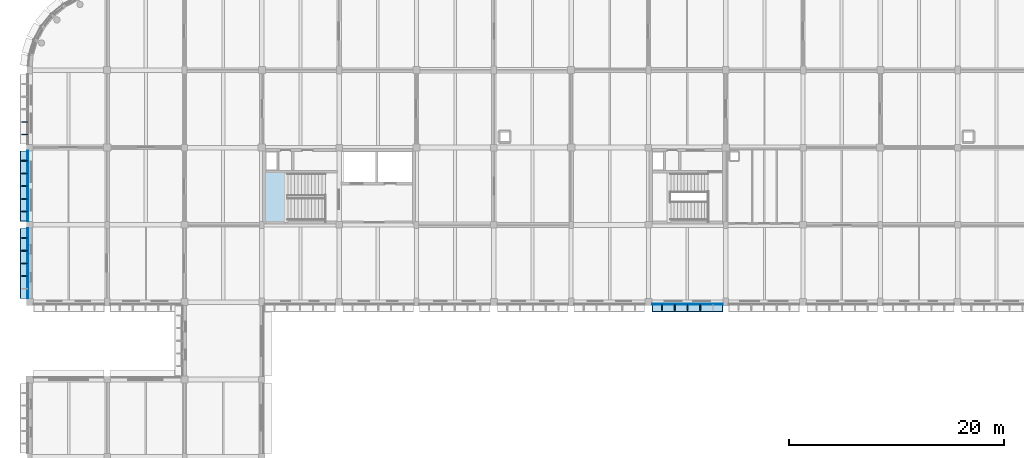
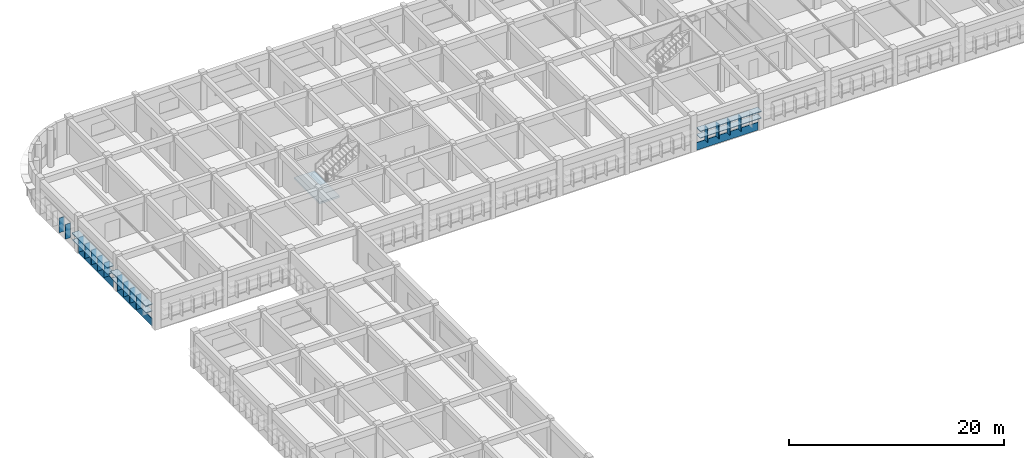
# One storey, part 14 of 38: 24 plates, 1 slab, 1 element without a shape of its own.
"""IFC4 building model written with IfcOpenShell, lengths in metres."""

from ifc_helpers import new_model, si_unit, direction, frame, origin, origin_2d, place, context, subcontext, project, spatial, polyline, rectangle, outline, extrude, material, layer, layer_set, type_object, element, aggregate, save


model = new_model("IFC4")

# Units and contexts
model_context = context("Model", 3, precision=1e-05, world=origin(), true_north=direction((0.0, 1.0)))
body_context = subcontext(model_context, "Body", "Model", "MODEL_VIEW")
ifc_project = project(units=[si_unit("LENGTHUNIT", "METRE"), si_unit("AREAUNIT", "SQUARE_METRE"), si_unit("VOLUMEUNIT", "CUBIC_METRE"), si_unit("PLANEANGLEUNIT", "RADIAN"), si_unit("MASSUNIT", "GRAM", prefix="KILO")], contexts=[model_context])

# Site, building, storey
site_placement = place(None, origin())
site = spatial("IfcSite", under=ifc_project, at=site_placement, CompositionType="ELEMENT")
building_placement = place(site_placement, origin())
building = spatial("IfcBuilding", under=site, at=building_placement, Name="Thalmaran Polytechnic", CompositionType="ELEMENT")
storey_placement = place(building_placement, frame((0.0, 0.0, 18.60009765625)))
storey = spatial("IfcBuildingStorey", under=building, at=storey_placement, Name="L04", CompositionType="ELEMENT", Elevation=18.60009765625)

# Plates
ifc_material_1 = material(Name="Anodised aluminium spandrel band", Category="aluminium")
ifc_layer_1 = layer(ifc_material_1, 0.054931640625, Name="Anodised aluminium spandrel band")
ifc_layer_set_1 = layer_set([ifc_layer_1], Name="Anodised aluminium spandrel band")
plate_type_1 = type_object("IfcPlateType", Name="PT-BD01", PredefinedType="SHEET", material=ifc_layer_set_1)
plate_1_placement = place(storey_placement, frame((-0.195068359375, 97.20751953125, 0.02001953125), z_axis=(0.0, 0.0, 1.0), x_axis=(0.0, 1.0, 0.0)))
element("IfcPlate", 1, at=plate_1_placement, inside=storey, type_object=plate_type_1, Name="Streamline Horizontal Spandrel Band L04-042", PredefinedType="SHEET", context=body_context, shape_type="SweptSolid", body=[
    extrude(rectangle(XDim=6.52490234375, YDim=0.054931640625, at=origin_2d()), origin(), (0.0, 0.0, 1.0), 0.8798828125),
])
plate_2_placement = place(storey_placement, frame((-0.195068359375, 104.405029296875, 0.02001953125), z_axis=(0.0, 0.0, 1.0), x_axis=(0.0, 1.0, 0.0)))
element("IfcPlate", 2, at=plate_2_placement, inside=storey, type_object=plate_type_1, Name="Streamline Horizontal Spandrel Band L04-043", PredefinedType="SHEET", context=body_context, shape_type="SweptSolid", body=[
    extrude(rectangle(XDim=6.550048828125, YDim=0.054931640625, at=origin_2d()), origin(), (0.0, 0.0, 1.0), 0.8798828125),
])
plate_3_placement = place(storey_placement, frame((61.237548828125, 93.405029296875, 0.02001953125), z_axis=(0.0, 0.0, 1.0), x_axis=(-1.0, 0.0, 0.0)))
element("IfcPlate", 3, at=plate_3_placement, inside=storey, type_object=plate_type_1, Name="Streamline Horizontal Spandrel Band L04-073", PredefinedType="SHEET", context=body_context, shape_type="SweptSolid", body=[
    extrude(rectangle(XDim=6.5849609375, YDim=0.054931640625, at=origin_2d()), origin(), (0.0, 0.0, 1.0), 0.8798828125),
])
ifc_material_2 = material(Name="Anodised aluminium sun-hood eyebrow", Category="aluminium")
ifc_layer_2 = layer(ifc_material_2, 0.0849609375, Name="Anodised aluminium sun-hood eyebrow")
ifc_layer_set_2 = layer_set([ifc_layer_2], Name="Anodised aluminium sun-hood eyebrow")
plate_type_2 = type_object("IfcPlateType", Name="PT-EB01", PredefinedType="SHEET", material=ifc_layer_set_2)
plate_4_placement = place(storey_placement, frame((-0.5400390625, 97.20751953125, 2.517333984375), z_axis=(0.0, 0.0, 1.0), x_axis=(0.0, 1.0, 0.0)))
element("IfcPlate", 4, at=plate_4_placement, inside=storey, type_object=plate_type_2, Name="Streamline Sun-Hood Eyebrow L04-042", PredefinedType="SHEET", context=body_context, shape_type="SweptSolid", body=[
    extrude(rectangle(XDim=6.52490234375, YDim=0.760009765625, at=origin_2d()), origin(), (0.0, 0.0, 1.0), 0.0849609375),
])
plate_5_placement = place(storey_placement, frame((-0.52001953125, 97.20751953125, 1.7421875), z_axis=(0.0, 0.0, 1.0), x_axis=(0.0, 1.0, 0.0)))
element("IfcPlate", 5, at=plate_5_placement, inside=storey, type_object=plate_type_2, Name="Abu Dhabi Horizontal Solar Louvre L04-042", PredefinedType="SHEET", context=body_context, shape_type="SweptSolid", body=[
    extrude(rectangle(XDim=6.485107421875, YDim=0.719970703125, at=origin_2d()), origin(), (0.0, 0.0, 1.0), 0.074951171875),
])
plate_6_placement = place(storey_placement, frame((-0.5400390625, 104.405029296875, 2.517333984375), z_axis=(0.0, 0.0, 1.0), x_axis=(0.0, 1.0, 0.0)))
element("IfcPlate", 6, at=plate_6_placement, inside=storey, type_object=plate_type_2, Name="Streamline Sun-Hood Eyebrow L04-043", PredefinedType="SHEET", context=body_context, shape_type="SweptSolid", body=[
    extrude(rectangle(XDim=6.550048828125, YDim=0.760009765625, at=origin_2d()), origin(), (0.0, 0.0, 1.0), 0.0849609375),
])
plate_7_placement = place(storey_placement, frame((-0.52001953125, 104.405029296875, 1.7421875), z_axis=(0.0, 0.0, 1.0), x_axis=(0.0, 1.0, 0.0)))
element("IfcPlate", 7, at=plate_7_placement, inside=storey, type_object=plate_type_2, Name="Abu Dhabi Horizontal Solar Louvre L04-043", PredefinedType="SHEET", context=body_context, shape_type="SweptSolid", body=[
    extrude(rectangle(XDim=6.510009765625, YDim=0.719970703125, at=origin_2d()), origin(), (0.0, 0.0, 1.0), 0.074951171875),
])
plate_8_placement = place(storey_placement, frame((61.237548828125, 93.06005859375, 2.517333984375), z_axis=(0.0, 0.0, 1.0), x_axis=(-1.0, 0.0, 0.0)))
element("IfcPlate", 8, at=plate_8_placement, inside=storey, type_object=plate_type_2, Name="Streamline Sun-Hood Eyebrow L04-073", PredefinedType="SHEET", context=body_context, shape_type="SweptSolid", body=[
    extrude(rectangle(XDim=6.5849609375, YDim=0.760009765625, at=origin_2d()), origin(), (0.0, 0.0, 1.0), 0.0849609375),
])
plate_9_placement = place(storey_placement, frame((61.237548828125, 93.080078125, 1.7421875), z_axis=(0.0, 0.0, 1.0), x_axis=(-1.0, 0.0, 0.0)))
element("IfcPlate", 9, at=plate_9_placement, inside=storey, type_object=plate_type_2, Name="Abu Dhabi Horizontal Solar Louvre L04-073", PredefinedType="SHEET", context=body_context, shape_type="SweptSolid", body=[
    extrude(rectangle(XDim=6.544921875, YDim=0.719970703125, at=origin_2d()), origin(), (0.0, 0.0, 1.0), 0.074951171875),
])
ifc_material_3 = material(Name="Anodised bronze brise-soleil fin")
ifc_layer_3 = layer(ifc_material_3, 0.06494140625, Name="Anodised bronze brise-soleil fin")
ifc_layer_set_3 = layer_set([ifc_layer_3], Name="Anodised bronze brise-soleil fin")
plate_type_3 = type_object("IfcPlateType", Name="PT-FN01", PredefinedType="SHEET", material=ifc_layer_set_3)
for number, where, z_axis, x_axis, name in (
    (10, (-0.4599609375, 96.02587890625, 0.89501953125), (0.0, 0.0, 1.0), (0.0, 1.0, 0.0), "Abu Dhabi Solar Brise-Soleil Fin L04-042-2"),
    (11, (-0.4599609375, 97.20751953125, 0.89501953125), (0.0, 0.0, 1.0), (0.0, 1.0, 0.0), "Abu Dhabi Solar Brise-Soleil Fin L04-042-3"),
    (12, (-0.4599609375, 98.38916015625, 0.89501953125), (0.0, 0.0, 1.0), (0.0, 1.0, 0.0), "Abu Dhabi Solar Brise-Soleil Fin L04-042-4"),
    (13, (-0.4599609375, 99.57080078125, 0.89501953125), (0.0, 0.0, 1.0), (0.0, 1.0, 0.0), "Abu Dhabi Solar Brise-Soleil Fin L04-042-5"),
    (14, (-0.4599609375, 102.03271484375, 0.89501953125), (0.0, 0.0, 1.0), (0.0, 1.0, 0.0), "Abu Dhabi Solar Brise-Soleil Fin L04-043-1"),
    (15, (-0.4599609375, 103.21875, 0.89501953125), (0.0, 0.0, 1.0), (0.0, 1.0, 0.0), "Abu Dhabi Solar Brise-Soleil Fin L04-043-2"),
    (16, (-0.4599609375, 104.405029296875, 0.89501953125), (0.0, 0.0, 1.0), (0.0, 1.0, 0.0), "Abu Dhabi Solar Brise-Soleil Fin L04-043-3"),
    (17, (-0.4599609375, 105.59130859375, 0.89501953125), (0.0, 0.0, 1.0), (0.0, 1.0, 0.0), "Abu Dhabi Solar Brise-Soleil Fin L04-043-4"),
    (18, (-0.4599609375, 106.77734375, 0.89501953125), (0.0, 0.0, 1.0), (0.0, 1.0, 0.0), "Abu Dhabi Solar Brise-Soleil Fin L04-043-5"),
    (19, (-0.4599609375, 109.21337890625, 0.89501953125), (0.0, 0.0, 1.0), (0.0, 1.0, 0.0), "Abu Dhabi Solar Brise-Soleil Fin L04-044-1"),
    (20, (-0.4599609375, 110.387939453125, 0.89501953125), (0.0, 0.0, 1.0), (0.0, 1.0, 0.0), "Abu Dhabi Solar Brise-Soleil Fin L04-044-2"),
    (21, (62.429931640625, 93.139892578125, 0.89501953125), (0.0, 0.0, 1.0), (-1.0, 0.0, 0.0), "Abu Dhabi Solar Brise-Soleil Fin L04-073-2"),
    (22, (61.237548828125, 93.139892578125, 0.89501953125), (0.0, 0.0, 1.0), (-1.0, 0.0, 0.0), "Abu Dhabi Solar Brise-Soleil Fin L04-073-3"),
    (23, (60.044921875, 93.139892578125, 0.89501953125), (0.0, 0.0, 1.0), (-1.0, 0.0, 0.0), "Abu Dhabi Solar Brise-Soleil Fin L04-073-4"),
    (24, (58.8525390625, 93.139892578125, 0.89501953125), (0.0, 0.0, 1.0), (-1.0, 0.0, 0.0), "Abu Dhabi Solar Brise-Soleil Fin L04-073-5"),
):
    element("IfcPlate", number, at=place(storey_placement, frame(where, z_axis=z_axis, x_axis=x_axis)), inside=storey, type_object=plate_type_3, Name=name, PredefinedType="SHEET", context=body_context, shape_type="SweptSolid", body=[
        extrude(rectangle(XDim=0.06494140625, YDim=0.56005859375, at=origin_2d()), origin(), (0.0, 0.0, 1.0), 1.64990234375),
    ])

# Stair, slab
ifc_material_4 = material(Name="Concrete C40/50", Category="concrete")
stair_type = type_object("IfcStairType", Name="ST-HT42", PredefinedType="HALF_TURN_STAIR", material=ifc_material_4)
stair_placement = place(storey_placement, origin())
stair = element("IfcStair", 25, at=stair_placement, inside=storey, type_object=stair_type, Name="Exit Stair ST2 L04", PredefinedType="HALF_TURN_STAIR")
ifc_layer_4 = layer(ifc_material_4, 0.2099609375, Name="Concrete C40/50")
ifc_layer_set_4 = layer_set([ifc_layer_4], Name="Concrete C40/50")
slab_type = type_object("IfcSlabType", Name="SL-LD01", PredefinedType="LANDING", material=ifc_layer_set_4)
slab_placement = place(storey_placement, frame((0.0, 0.0, 1.889892578125)))
slab = element("IfcSlab", 26, at=slab_placement, type_object=slab_type, Name="ST2 L04 Half Landing", PredefinedType="LANDING", context=body_context, shape_type="SweptSolid", body=[
    extrude(outline(polyline([(21.840087890625, 101.0400390625), (24.0, 101.0400390625), (24.0, 105.739990234375), (21.840087890625, 105.739990234375), (21.840087890625, 101.0400390625)])), origin(), (0.0, 0.0, 1.0), 0.2099609375),
])
aggregate(stair, [slab])

save(model, "model.ifc")
